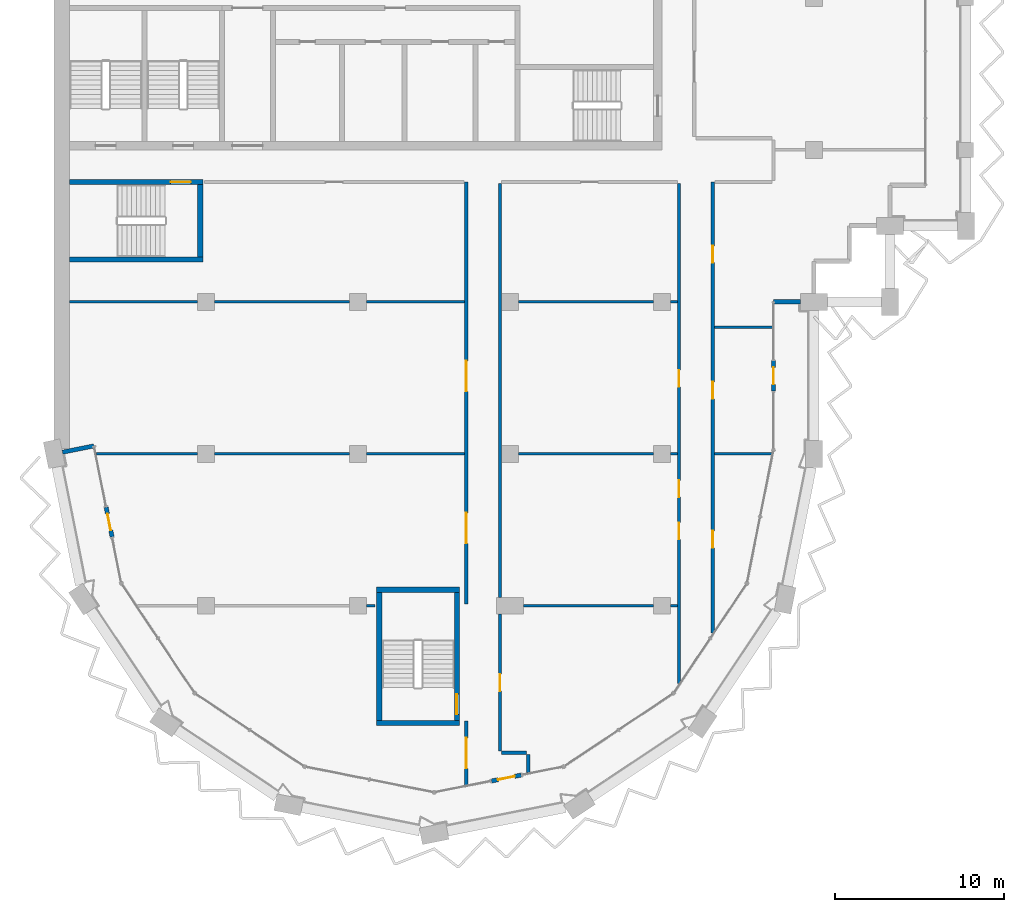
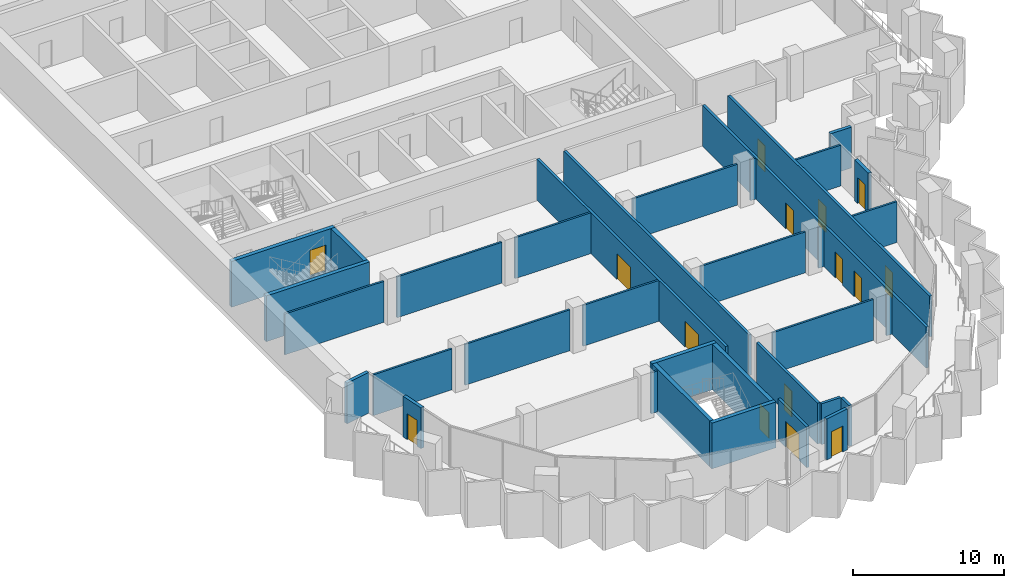
# One storey, part 7 of 16: 35 walls, 15 doors, 15 openings.
"""IFC4 building model written with IfcOpenShell, lengths in metres."""

from ifc_helpers import new_model, si_unit, direction, frame, frame_2d, origin, place, context, subcontext, project, spatial, rectangle, extrude, material, layer, layer_set, type_object, element, fill, save


model = new_model("IFC4")

# Units and contexts
model_context = context("Model", 3, precision=1e-05, world=origin(), true_north=direction((0.0, 1.0)))
body_context = subcontext(model_context, "Body", "Model", "MODEL_VIEW")
ifc_project = project(units=[si_unit("LENGTHUNIT", "METRE"), si_unit("AREAUNIT", "SQUARE_METRE"), si_unit("VOLUMEUNIT", "CUBIC_METRE"), si_unit("PLANEANGLEUNIT", "RADIAN"), si_unit("MASSUNIT", "GRAM", prefix="KILO")], contexts=[model_context])

# Site, building, storey
site_placement = place(None, origin())
site = spatial("IfcSite", under=ifc_project, at=site_placement, CompositionType="ELEMENT")
building_placement = place(site_placement, origin())
building = spatial("IfcBuilding", under=site, at=building_placement, Name="Hunhe Ridgeline Campus", CompositionType="ELEMENT")
storey_placement = place(building_placement, frame((0.0, 0.0, 239.199951171875)))
storey = spatial("IfcBuildingStorey", under=building, at=storey_placement, Name="L61", CompositionType="ELEMENT", Elevation=239.199951171875)

# Walls
ifc_material_1 = material(Name="Concrete C30", Category="concrete")
ifc_layer_1 = layer(ifc_material_1, 0.25)
ifc_layer_set_1 = layer_set([ifc_layer_1], Name="Corner return wall 250 Concrete C30")
wall_type_1 = type_object("IfcWallType", Name="Corner return wall 250 Concrete C30", PredefinedType="SOLIDWALL", material=ifc_layer_set_1)
wall_1_placement = place(storey_placement, frame((0.490234375, 45.098388671875, 0.0), z_axis=(0.0, 0.0, 1.0), x_axis=(0.980836699013, 0.194831644939, 0.0)))
element("IfcWall", 1, at=wall_1_placement, inside=storey, type_object=wall_type_1, Name="Corner return wall 1", PredefinedType="SOLIDWALL", context=body_context, shape_type="SweptSolid", body=[
    extrude(rectangle(XDim=1.90087890625, YDim=0.25, at=frame_2d((0.950439453125, 0.0))), origin(), (0.0, 0.0, 1.0), 3.300048828125),
])
wall_2_placement = place(storey_placement, frame((42.59912109375, 54.00048828125, 0.0), z_axis=(0.0, 0.0, 1.0), x_axis=(0.999999988371, 0.000152508767, 0.0)))
element("IfcWall", 2, at=wall_2_placement, inside=storey, type_object=wall_type_1, Name="Corner return wall 2", PredefinedType="SOLIDWALL", context=body_context, shape_type="SweptSolid", body=[
    extrude(rectangle(XDim=1.600830078125, YDim=0.25, at=frame_2d((0.80029296875, 0.0))), origin(), (0.0, 0.0, 1.0), 3.300048828125),
])
ifc_material_2 = material(Name="Gypsum board partition")
ifc_layer_2 = layer(ifc_material_2, 0.199951171875)
ifc_layer_set_2 = layer_set([ifc_layer_2], Name="Corridor partition 200 gypsum board on steel studs")
wall_type_2 = type_object("IfcWallType", Name="Corridor partition 200 gypsum board on steel studs", PredefinedType="PARTITIONING", material=ifc_layer_set_2)
wall_3_placement = place(storey_placement, frame((26.5, 27.299072265625, 0.0), z_axis=(0.0, 0.0, 1.0), x_axis=(1.0, 0.0, 0.0)))
element("IfcWall", 3, at=wall_3_placement, inside=storey, type_object=wall_type_2, Name="F-L61-wall-001", PredefinedType="PARTITIONING", context=body_context, shape_type="SweptSolid", body=[
    extrude(rectangle(XDim=1.47802734375, YDim=0.199951171875, at=frame_2d((0.739013671875, 0.0))), origin(), (0.0, 0.0, 1.0), 3.300048828125),
])

# Wall, opening, door
wall_4_placement = place(storey_placement, frame((24.39990234375, 25.381103515625, 0.0), z_axis=(0.0, 0.0, 1.0), x_axis=(0.0, 1.0, 0.0)))
wall_4 = element("IfcWall", 4, at=wall_4_placement, inside=storey, type_object=wall_type_2, Name="F-L61-wall-032", PredefinedType="PARTITIONING", context=body_context, shape_type="SweptSolid", body=[
    extrude(rectangle(XDim=3.7939453125, YDim=0.199951171875, at=frame_2d((1.89697265625, 0.0))), origin(), (0.0, 0.0, 1.0), 3.300048828125),
])
opening_1_placement = place(wall_4_placement, frame((0.9970703125, 0.0, 0.0)))
opening_1 = element("IfcOpeningElement", 5, at=opening_1_placement, cuts=wall_4, Name="Opening RD2-001", PredefinedType="OPENING", context=body_context, shape_type="SweptSolid", body=[
    extrude(rectangle(XDim=1.800048828125, YDim=2.10009765625, at=frame_2d((0.89990234375, 1.050048828125))), frame((0.0, 0.10009765625, 0.0), z_axis=(0.0, -1.0, 0.0), x_axis=(1.0, 0.0, 0.0)), (0.0, 0.0, 1.0), 0.199951171875),
])
ifc_material_3 = material(Name="Timber door leaf", Category="wood")
door_type_1 = type_object("IfcDoorType", Name="Double fire door 1800x2100 timber FD60", OperationType="DOUBLE_DOOR_SINGLE_SWING", PredefinedType="DOOR", material=ifc_material_3)
door_1_placement = place(opening_1_placement, origin())
door_1 = element("IfcDoor", 6, at=door_1_placement, inside=storey, type_object=door_type_1, Name="F-L61-door-001", OperationType="DOUBLE_DOOR_SINGLE_SWING", OverallHeight=2.10009765625, OverallWidth=1.800048828125, PredefinedType="DOOR", context=body_context, shape_type="SweptSolid", body=[
    extrude(rectangle(XDim=1.800048828125, YDim=2.10009765625, at=frame_2d((0.89990234375, 1.050048828125))), frame((0.0, 0.02490234375, 0.0), z_axis=(0.0, -1.0, 0.0), x_axis=(1.0, 0.0, 0.0)), (0.0, 0.0, 1.0), 0.050048828125),
])
fill(opening_1, door_1)

# Wall, openings, doors
wall_5_placement = place(storey_placement, frame((24.39990234375, 36.10009765625, 0.0), z_axis=(0.0, 0.0, 1.0), x_axis=(0.0, 1.0, 0.0)))
wall_5 = element("IfcWall", 7, at=wall_5_placement, inside=storey, type_object=wall_type_2, Name="F-L61-wall-033", PredefinedType="PARTITIONING", context=body_context, shape_type="SweptSolid", body=[
    extrude(rectangle(XDim=25.0, YDim=0.199951171875, at=frame_2d((12.5, 0.0))), origin(), (0.0, 0.0, 1.0), 3.300048828125),
])
opening_2_placement = place(wall_5_placement, frame((3.60009765625, 0.0, 0.0)))
opening_2 = element("IfcOpeningElement", 8, at=opening_2_placement, cuts=wall_5, Name="Opening RD2-005", PredefinedType="OPENING", context=body_context, shape_type="SweptSolid", body=[
    extrude(rectangle(XDim=1.800048828125, YDim=2.10009765625, at=frame_2d((0.89990234375, 1.050048828125))), frame((0.0, 0.10009765625, 0.0), z_axis=(0.0, -1.0, 0.0), x_axis=(1.0, 0.0, 0.0)), (0.0, 0.0, 1.0), 0.199951171875),
])
opening_3_placement = place(wall_5_placement, frame((12.60009765625, 0.0, 0.0)))
opening_3 = element("IfcOpeningElement", 9, at=opening_3_placement, cuts=wall_5, Name="Opening RD2-009", PredefinedType="OPENING", context=body_context, shape_type="SweptSolid", body=[
    extrude(rectangle(XDim=1.800048828125, YDim=2.10009765625, at=frame_2d((0.89990234375, 1.050048828125))), frame((0.0, 0.10009765625, 0.0), z_axis=(0.0, -1.0, 0.0), x_axis=(1.0, 0.0, 0.0)), (0.0, 0.0, 1.0), 0.199951171875),
])
door_2_placement = place(opening_2_placement, origin())
door_2 = element("IfcDoor", 10, at=door_2_placement, inside=storey, type_object=door_type_1, Name="F-L61-door-005", OperationType="DOUBLE_DOOR_SINGLE_SWING", OverallHeight=2.10009765625, OverallWidth=1.800048828125, PredefinedType="DOOR", context=body_context, shape_type="SweptSolid", body=[
    extrude(rectangle(XDim=1.800048828125, YDim=2.10009765625, at=frame_2d((0.89990234375, 1.050048828125))), frame((0.0, 0.02490234375, 0.0), z_axis=(0.0, -1.0, 0.0), x_axis=(1.0, 0.0, 0.0)), (0.0, 0.0, 1.0), 0.050048828125),
])
fill(opening_2, door_2)
door_3_placement = place(opening_3_placement, origin())
door_3 = element("IfcDoor", 11, at=door_3_placement, inside=storey, type_object=door_type_1, Name="F-L61-door-009", OperationType="DOUBLE_DOOR_SINGLE_SWING", OverallHeight=2.10009765625, OverallWidth=1.800048828125, PredefinedType="DOOR", context=body_context, shape_type="SweptSolid", body=[
    extrude(rectangle(XDim=1.800048828125, YDim=2.10009765625, at=frame_2d((0.89990234375, 1.050048828125))), frame((0.0, 0.02490234375, 0.0), z_axis=(0.0, -1.0, 0.0), x_axis=(1.0, 0.0, 0.0)), (0.0, 0.0, 1.0), 0.050048828125),
])
fill(opening_3, door_3)

# Wall, opening, door
wall_6_placement = place(storey_placement, frame((26.39990234375, 35.5, 0.0), z_axis=(0.0, 0.0, 1.0), x_axis=(0.0, -1.0, 0.0)))
wall_6 = element("IfcWall", 12, at=wall_6_placement, inside=storey, type_object=wall_type_2, Name="F-L61-wall-034", PredefinedType="PARTITIONING", context=body_context, shape_type="SweptSolid", body=[
    extrude(rectangle(XDim=8.10107421875, YDim=0.199951171875, at=frame_2d((4.050537109375, 0.0))), origin(), (0.0, 0.0, 1.0), 3.300048828125),
])
opening_4_placement = place(wall_6_placement, frame((3.550537109375, 0.0, 0.0)))
opening_4 = element("IfcOpeningElement", 13, at=opening_4_placement, cuts=wall_6, Name="Opening RD1-002", PredefinedType="OPENING", context=body_context, shape_type="SweptSolid", body=[
    extrude(rectangle(XDim=1.0, YDim=2.10009765625, at=frame_2d((0.5, 1.050048828125))), frame((0.0, 0.10009765625, 0.0), z_axis=(0.0, -1.0, 0.0), x_axis=(1.0, 0.0, 0.0)), (0.0, 0.0, 1.0), 0.199951171875),
])
door_type_2 = type_object("IfcDoorType", Name="Single fire door 1000x2100 timber FD60", OperationType="NOTDEFINED", PredefinedType="DOOR", material=ifc_material_3)
door_4_placement = place(opening_4_placement, origin())
door_4 = element("IfcDoor", 14, at=door_4_placement, inside=storey, type_object=door_type_2, Name="F-L61-door-002", OperationType="SINGLE_SWING_LEFT", OverallHeight=2.10009765625, OverallWidth=1.0, PredefinedType="DOOR", context=body_context, shape_type="SweptSolid", body=[
    extrude(rectangle(XDim=1.0, YDim=2.10009765625, at=frame_2d((0.5, 1.050048828125))), frame((0.0, 0.02490234375, 0.0), z_axis=(0.0, -1.0, 0.0), x_axis=(1.0, 0.0, 0.0)), (0.0, 0.0, 1.0), 0.050048828125),
])
fill(opening_4, door_4)

# Walls
wall_7_placement = place(storey_placement, frame((26.39990234375, 61.0, 0.0), z_axis=(0.0, 0.0, 1.0), x_axis=(0.0, -1.0, 0.0)))
element("IfcWall", 15, at=wall_7_placement, inside=storey, type_object=wall_type_2, Name="F-L61-wall-035", PredefinedType="PARTITIONING", context=body_context, shape_type="SweptSolid", body=[
    extrude(rectangle(XDim=24.5, YDim=0.199951171875, at=frame_2d((12.25, 0.0))), origin(), (0.0, 0.0, 1.0), 3.300048828125),
])
wall_8_placement = place(storey_placement, frame((28.077880859375, 27.198974609375, 0.0), z_axis=(0.0, 0.0, 1.0), x_axis=(0.0, -1.0, 0.0)))
element("IfcWall", 16, at=wall_8_placement, inside=storey, type_object=wall_type_2, Name="F-L61-wall-036", PredefinedType="PARTITIONING", context=body_context, shape_type="SweptSolid", body=[
    extrude(rectangle(XDim=1.08642578125, YDim=0.199951171875, at=frame_2d((0.543212890625, 0.0))), origin(), (0.0, 0.0, 1.0), 3.300048828125),
])

# Wall, openings, doors
wall_9_placement = place(storey_placement, frame((37.0, 31.39892578125, 0.0), z_axis=(0.0, 0.0, 1.0), x_axis=(0.0, 1.0, 0.0)))
wall_9 = element("IfcWall", 17, at=wall_9_placement, inside=storey, type_object=wall_type_2, Name="F-L61-wall-037", PredefinedType="PARTITIONING", context=body_context, shape_type="SweptSolid", body=[
    extrude(rectangle(XDim=29.60107421875, YDim=0.199951171875, at=frame_2d((14.800537109375, 0.0))), origin(), (0.0, 0.0, 1.0), 3.300048828125),
])
opening_5_placement = place(wall_9_placement, frame((8.53076171875, 0.0, 0.0)))
opening_5 = element("IfcOpeningElement", 18, at=opening_5_placement, cuts=wall_9, Name="Opening RD1-004", PredefinedType="OPENING", context=body_context, shape_type="SweptSolid", body=[
    extrude(rectangle(XDim=1.0, YDim=2.10009765625, at=frame_2d((0.5, 1.050048828125))), frame((0.0, 0.10009765625, 0.0), z_axis=(0.0, -1.0, 0.0), x_axis=(1.0, 0.0, 0.0)), (0.0, 0.0, 1.0), 0.199951171875),
])
opening_6_placement = place(wall_9_placement, frame((11.03076171875, 0.0, 0.0)))
opening_6 = element("IfcOpeningElement", 19, at=opening_6_placement, cuts=wall_9, Name="Opening RD1-006", PredefinedType="OPENING", context=body_context, shape_type="SweptSolid", body=[
    extrude(rectangle(XDim=1.0, YDim=2.10009765625, at=frame_2d((0.5, 1.050048828125))), frame((0.0, 0.10009765625, 0.0), z_axis=(0.0, -1.0, 0.0), x_axis=(1.0, 0.0, 0.0)), (0.0, 0.0, 1.0), 0.199951171875),
])
opening_7_placement = place(wall_9_placement, frame((17.561767578125, 0.0, 0.0)))
opening_7 = element("IfcOpeningElement", 20, at=opening_7_placement, cuts=wall_9, Name="Opening RD1-008", PredefinedType="OPENING", context=body_context, shape_type="SweptSolid", body=[
    extrude(rectangle(XDim=1.0, YDim=2.10009765625, at=frame_2d((0.5, 1.050048828125))), frame((0.0, 0.10009765625, 0.0), z_axis=(0.0, -1.0, 0.0), x_axis=(1.0, 0.0, 0.0)), (0.0, 0.0, 1.0), 0.199951171875),
])
door_5_placement = place(opening_5_placement, frame((1.0, 0.0, 0.0), z_axis=(0.0, 0.0, 1.0), x_axis=(-1.0, 0.0, 0.0)))
door_5 = element("IfcDoor", 21, at=door_5_placement, inside=storey, type_object=door_type_2, Name="F-L61-door-004", OperationType="SINGLE_SWING_LEFT", OverallHeight=2.10009765625, OverallWidth=1.0, PredefinedType="DOOR", context=body_context, shape_type="SweptSolid", body=[
    extrude(rectangle(XDim=1.0, YDim=2.10009765625, at=frame_2d((0.5, 1.050048828125))), frame((0.0, 0.02490234375, 0.0), z_axis=(0.0, -1.0, 0.0), x_axis=(1.0, 0.0, 0.0)), (0.0, 0.0, 1.0), 0.050048828125),
])
fill(opening_5, door_5)
door_6_placement = place(opening_6_placement, frame((1.0, 0.0, 0.0), z_axis=(0.0, 0.0, 1.0), x_axis=(-1.0, 0.0, 0.0)))
door_6 = element("IfcDoor", 22, at=door_6_placement, inside=storey, type_object=door_type_2, Name="F-L61-door-006", OperationType="SINGLE_SWING_LEFT", OverallHeight=2.10009765625, OverallWidth=1.0, PredefinedType="DOOR", context=body_context, shape_type="SweptSolid", body=[
    extrude(rectangle(XDim=1.0, YDim=2.10009765625, at=frame_2d((0.5, 1.050048828125))), frame((0.0, 0.02490234375, 0.0), z_axis=(0.0, -1.0, 0.0), x_axis=(1.0, 0.0, 0.0)), (0.0, 0.0, 1.0), 0.050048828125),
])
fill(opening_6, door_6)
door_7_placement = place(opening_7_placement, origin())
door_7 = element("IfcDoor", 23, at=door_7_placement, inside=storey, type_object=door_type_2, Name="F-L61-door-008", OperationType="SINGLE_SWING_RIGHT", OverallHeight=2.10009765625, OverallWidth=1.0, PredefinedType="DOOR", context=body_context, shape_type="SweptSolid", body=[
    extrude(rectangle(XDim=1.0, YDim=2.10009765625, at=frame_2d((0.5, 1.050048828125))), frame((0.0, 0.02490234375, 0.0), z_axis=(0.0, -1.0, 0.0), x_axis=(1.0, 0.0, 0.0)), (0.0, 0.0, 1.0), 0.050048828125),
])
fill(opening_7, door_7)

wall_10_placement = place(storey_placement, frame((39.0, 61.10009765625, 0.0), z_axis=(0.0, 0.0, 1.0), x_axis=(0.0, -1.0, 0.0)))
wall_10 = element("IfcWall", 24, at=wall_10_placement, inside=storey, type_object=wall_type_2, Name="F-L61-wall-040", PredefinedType="PARTITIONING", context=body_context, shape_type="SweptSolid", body=[
    extrude(rectangle(XDim=26.7080078125, YDim=0.199951171875, at=frame_2d((13.35400390625, 0.0))), origin(), (0.0, 0.0, 1.0), 3.300048828125),
])
opening_8_placement = place(wall_10_placement, frame((20.664794921875, 0.0, 0.0)))
opening_8 = element("IfcOpeningElement", 25, at=opening_8_placement, cuts=wall_10, Name="Opening RD1-003", PredefinedType="OPENING", context=body_context, shape_type="SweptSolid", body=[
    extrude(rectangle(XDim=1.0, YDim=2.10009765625, at=frame_2d((0.5, 1.050048828125))), frame((0.0, 0.10009765625, 0.0), z_axis=(0.0, -1.0, 0.0), x_axis=(1.0, 0.0, 0.0)), (0.0, 0.0, 1.0), 0.199951171875),
])
opening_9_placement = place(wall_10_placement, frame((11.84619140625, 0.0, 0.0)))
opening_9 = element("IfcOpeningElement", 26, at=opening_9_placement, cuts=wall_10, Name="Opening RD1-007", PredefinedType="OPENING", context=body_context, shape_type="SweptSolid", body=[
    extrude(rectangle(XDim=1.0, YDim=2.10009765625, at=frame_2d((0.5, 1.050048828125))), frame((0.0, 0.10009765625, 0.0), z_axis=(0.0, -1.0, 0.0), x_axis=(1.0, 0.0, 0.0)), (0.0, 0.0, 1.0), 0.199951171875),
])
opening_10_placement = place(wall_10_placement, frame((3.783203125, 0.0, 0.0)))
opening_10 = element("IfcOpeningElement", 27, at=opening_10_placement, cuts=wall_10, Name="Opening RD1-010", PredefinedType="OPENING", context=body_context, shape_type="SweptSolid", body=[
    extrude(rectangle(XDim=1.0, YDim=2.10009765625, at=frame_2d((0.5, 1.050048828125))), frame((0.0, 0.10009765625, 0.0), z_axis=(0.0, -1.0, 0.0), x_axis=(1.0, 0.0, 0.0)), (0.0, 0.0, 1.0), 0.199951171875),
])
door_8_placement = place(opening_8_placement, origin())
door_8 = element("IfcDoor", 28, at=door_8_placement, inside=storey, type_object=door_type_2, Name="F-L61-door-003", OperationType="SINGLE_SWING_LEFT", OverallHeight=2.10009765625, OverallWidth=1.0, PredefinedType="DOOR", context=body_context, shape_type="SweptSolid", body=[
    extrude(rectangle(XDim=1.0, YDim=2.10009765625, at=frame_2d((0.5, 1.050048828125))), frame((0.0, 0.02490234375, 0.0), z_axis=(0.0, -1.0, 0.0), x_axis=(1.0, 0.0, 0.0)), (0.0, 0.0, 1.0), 0.050048828125),
])
fill(opening_8, door_8)
door_9_placement = place(opening_9_placement, origin())
door_9 = element("IfcDoor", 29, at=door_9_placement, inside=storey, type_object=door_type_2, Name="F-L61-door-007", OperationType="SINGLE_SWING_LEFT", OverallHeight=2.10009765625, OverallWidth=1.0, PredefinedType="DOOR", context=body_context, shape_type="SweptSolid", body=[
    extrude(rectangle(XDim=1.0, YDim=2.10009765625, at=frame_2d((0.5, 1.050048828125))), frame((0.0, 0.02490234375, 0.0), z_axis=(0.0, -1.0, 0.0), x_axis=(1.0, 0.0, 0.0)), (0.0, 0.0, 1.0), 0.050048828125),
])
fill(opening_9, door_9)
door_10_placement = place(opening_10_placement, origin())
door_10 = element("IfcDoor", 30, at=door_10_placement, inside=storey, type_object=door_type_2, Name="F-L61-door-010", OperationType="SINGLE_SWING_RIGHT", OverallHeight=2.10009765625, OverallWidth=1.0, PredefinedType="DOOR", context=body_context, shape_type="SweptSolid", body=[
    extrude(rectangle(XDim=1.0, YDim=2.10009765625, at=frame_2d((0.5, 1.050048828125))), frame((0.0, 0.02490234375, 0.0), z_axis=(0.0, -1.0, 0.0), x_axis=(1.0, 0.0, 0.0)), (0.0, 0.0, 1.0), 0.050048828125),
])
fill(opening_10, door_10)

# Wall, opening, door
ifc_layer_3 = layer(ifc_material_1, 0.25)
ifc_layer_set_3 = layer_set([ifc_layer_3], Name="Loggia door pier wall 250 Concrete C30")
wall_type_3 = type_object("IfcWallType", Name="Loggia door pier wall 250 Concrete C30", PredefinedType="SOLIDWALL", material=ifc_layer_set_3)
wall_11_placement = place(storey_placement, frame((3.076904296875, 41.8388671875, 0.0), z_axis=(0.0, 0.0, 1.0), x_axis=(0.195046569833, -0.980793982239, 0.0)))
wall_11 = element("IfcWall", 31, at=wall_11_placement, inside=storey, type_object=wall_type_3, Name="Loggia door pier 1", PredefinedType="SOLIDWALL", context=body_context, shape_type="SweptSolid", body=[
    extrude(rectangle(XDim=1.800048828125, YDim=0.25, at=frame_2d((0.89990234375, 0.0))), origin(), (0.0, 0.0, 1.0), 3.300048828125),
])
opening_11_placement = place(wall_11_placement, frame((0.39990234375, 0.0, 0.0)))
opening_11 = element("IfcOpeningElement", 32, at=opening_11_placement, cuts=wall_11, Name="Opening BD501", PredefinedType="OPENING", context=body_context, shape_type="SweptSolid", body=[
    extrude(rectangle(XDim=1.0, YDim=2.10009765625, at=frame_2d((0.5, 1.050048828125))), frame((0.0, 0.125, 0.0), z_axis=(0.0, -1.0, 0.0), x_axis=(1.0, 0.0, 0.0)), (0.0, 0.0, 1.0), 0.25),
])
ifc_material_4 = material(Name="Aluminium 6063", Category="aluminium")
door_type_3 = type_object("IfcDoorType", Name="Loggia glazed door 1000x2100", OperationType="NOTDEFINED", PredefinedType="DOOR", material=ifc_material_4)
door_11_placement = place(opening_11_placement, frame((1.0, 0.0, 0.0), z_axis=(0.0, 0.0, 1.0), x_axis=(-1.0, 0.0, 0.0)))
door_11 = element("IfcDoor", 33, at=door_11_placement, inside=storey, type_object=door_type_3, Name="Loggia door BD501", OperationType="SINGLE_SWING_RIGHT", OverallHeight=2.10009765625, OverallWidth=1.0, PredefinedType="DOOR", context=body_context, shape_type="SweptSolid", body=[
    extrude(rectangle(XDim=1.0, YDim=2.10009765625, at=frame_2d((0.5, 1.050048828125))), frame((0.0, 0.02490234375, 0.0), z_axis=(0.0, -1.0, 0.0), x_axis=(1.0, 0.0, 0.0)), (0.0, 0.0, 1.0), 0.050048828125),
])
fill(opening_11, door_11)

wall_12_placement = place(storey_placement, frame((25.8955078125, 25.62353515625, 0.0), z_axis=(0.0, 0.0, 1.0), x_axis=(0.980793982239, 0.195046569833, 0.0)))
wall_12 = element("IfcWall", 34, at=wall_12_placement, inside=storey, type_object=wall_type_3, Name="Loggia door pier 2", PredefinedType="SOLIDWALL", context=body_context, shape_type="SweptSolid", body=[
    extrude(rectangle(XDim=1.800048828125, YDim=0.25, at=frame_2d((0.89990234375, 0.0))), origin(), (0.0, 0.0, 1.0), 3.300048828125),
])
opening_12_placement = place(wall_12_placement, frame((0.39990234375, 0.0, 0.0)))
opening_12 = element("IfcOpeningElement", 35, at=opening_12_placement, cuts=wall_12, Name="Opening BD503", PredefinedType="OPENING", context=body_context, shape_type="SweptSolid", body=[
    extrude(rectangle(XDim=1.0, YDim=2.10009765625, at=frame_2d((0.5, 1.050048828125))), frame((0.0, 0.125, 0.0), z_axis=(0.0, -1.0, 0.0), x_axis=(1.0, 0.0, 0.0)), (0.0, 0.0, 1.0), 0.25),
])
door_12_placement = place(opening_12_placement, frame((1.0, 0.0, 0.0), z_axis=(0.0, 0.0, 1.0), x_axis=(-1.0, 0.0, 0.0)))
door_12 = element("IfcDoor", 36, at=door_12_placement, inside=storey, type_object=door_type_3, Name="Loggia door BD503", OperationType="SINGLE_SWING_RIGHT", OverallHeight=2.10009765625, OverallWidth=1.0, PredefinedType="DOOR", context=body_context, shape_type="SweptSolid", body=[
    extrude(rectangle(XDim=1.0, YDim=2.10009765625, at=frame_2d((0.5, 1.050048828125))), frame((0.0, 0.02490234375, 0.0), z_axis=(0.0, -1.0, 0.0), x_axis=(1.0, 0.0, 0.0)), (0.0, 0.0, 1.0), 0.050048828125),
])
fill(opening_12, door_12)

wall_13_placement = place(storey_placement, frame((42.59912109375, 48.718505859375, 0.0), z_axis=(0.0, 0.0, 1.0), x_axis=(0.0, 1.0, 0.0)))
wall_13 = element("IfcWall", 37, at=wall_13_placement, inside=storey, type_object=wall_type_3, Name="Loggia door pier 3", PredefinedType="SOLIDWALL", context=body_context, shape_type="SweptSolid", body=[
    extrude(rectangle(XDim=1.800048828125, YDim=0.25, at=frame_2d((0.89990234375, 0.0))), origin(), (0.0, 0.0, 1.0), 3.300048828125),
])
opening_13_placement = place(wall_13_placement, frame((0.39990234375, 0.0, 0.0)))
opening_13 = element("IfcOpeningElement", 38, at=opening_13_placement, cuts=wall_13, Name="Opening BD505", PredefinedType="OPENING", context=body_context, shape_type="SweptSolid", body=[
    extrude(rectangle(XDim=1.0, YDim=2.10009765625, at=frame_2d((0.5, 1.050048828125))), frame((0.0, 0.125, 0.0), z_axis=(0.0, -1.0, 0.0), x_axis=(1.0, 0.0, 0.0)), (0.0, 0.0, 1.0), 0.25),
])
door_13_placement = place(opening_13_placement, frame((1.0, 0.0, 0.0), z_axis=(0.0, 0.0, 1.0), x_axis=(-1.0, 0.0, 0.0)))
door_13 = element("IfcDoor", 39, at=door_13_placement, inside=storey, type_object=door_type_3, Name="Loggia door BD505", OperationType="SINGLE_SWING_RIGHT", OverallHeight=2.10009765625, OverallWidth=1.0, PredefinedType="DOOR", context=body_context, shape_type="SweptSolid", body=[
    extrude(rectangle(XDim=1.0, YDim=2.10009765625, at=frame_2d((0.5, 1.050048828125))), frame((0.0, 0.02490234375, 0.0), z_axis=(0.0, -1.0, 0.0), x_axis=(1.0, 0.0, 0.0)), (0.0, 0.0, 1.0), 0.050048828125),
])
fill(opening_13, door_13)

# Walls
ifc_layer_4 = layer(ifc_material_2, 0.14990234375)
ifc_layer_set_4 = layer_set([ifc_layer_4], Name="Room partition 150 gypsum board on steel studs")
wall_type_4 = type_object("IfcWallType", Name="Room partition 150 gypsum board on steel studs", PredefinedType="PARTITIONING", material=ifc_layer_set_4)
wall_14_placement = place(storey_placement, frame((18.5, 36.0, 0.0), z_axis=(0.0, 0.0, 1.0), x_axis=(1.0, 0.0, 0.0)))
element("IfcWall", 40, at=wall_14_placement, inside=storey, type_object=wall_type_4, Name="F-L61-wall-004", PredefinedType="PARTITIONING", context=body_context, shape_type="SweptSolid", body=[
    extrude(rectangle(XDim=0.49609375, YDim=0.14990234375, at=frame_2d((0.248046875, 0.0))), origin(), (0.0, 0.0, 1.0), 3.300048828125),
])
wall_15_placement = place(storey_placement, frame((27.800048828125, 36.0, 0.0), z_axis=(0.0, 0.0, 1.0), x_axis=(1.0, 0.0, 0.0)))
element("IfcWall", 41, at=wall_15_placement, inside=storey, type_object=wall_type_4, Name="F-L61-wall-005", PredefinedType="PARTITIONING", context=body_context, shape_type="SweptSolid", body=[
    extrude(rectangle(XDim=7.699951171875, YDim=0.14990234375, at=frame_2d((3.85009765625, 0.0))), origin(), (0.0, 0.0, 1.0), 3.300048828125),
])
wall_16_placement = place(storey_placement, frame((36.5, 36.0, 0.0), z_axis=(0.0, 0.0, 1.0), x_axis=(1.0, 0.0, 0.0)))
element("IfcWall", 42, at=wall_16_placement, inside=storey, type_object=wall_type_4, Name="F-L61-wall-006", PredefinedType="PARTITIONING", context=body_context, shape_type="SweptSolid", body=[
    extrude(rectangle(XDim=0.39990234375, YDim=0.14990234375, at=frame_2d((0.199951171875, 0.0))), origin(), (0.0, 0.0, 1.0), 3.300048828125),
])
wall_17_placement = place(storey_placement, frame((2.503173828125, 45.0, 0.0), z_axis=(0.0, 0.0, 1.0), x_axis=(1.0, 0.0, 0.0)))
element("IfcWall", 43, at=wall_17_placement, inside=storey, type_object=wall_type_4, Name="F-L61-wall-007", PredefinedType="PARTITIONING", context=body_context, shape_type="SweptSolid", body=[
    extrude(rectangle(XDim=5.996826171875, YDim=0.14990234375, at=frame_2d((2.99853515625, 0.0))), origin(), (0.0, 0.0, 1.0), 3.300048828125),
])
wall_18_placement = place(storey_placement, frame((9.5, 45.0, 0.0), z_axis=(0.0, 0.0, 1.0), x_axis=(1.0, 0.0, 0.0)))
element("IfcWall", 44, at=wall_18_placement, inside=storey, type_object=wall_type_4, Name="F-L61-wall-008", PredefinedType="PARTITIONING", context=body_context, shape_type="SweptSolid", body=[
    extrude(rectangle(XDim=8.0, YDim=0.14990234375, at=frame_2d((4.0, 0.0))), origin(), (0.0, 0.0, 1.0), 3.300048828125),
])
wall_19_placement = place(storey_placement, frame((18.5, 45.0, 0.0), z_axis=(0.0, 0.0, 1.0), x_axis=(1.0, 0.0, 0.0)))
element("IfcWall", 45, at=wall_19_placement, inside=storey, type_object=wall_type_4, Name="F-L61-wall-009", PredefinedType="PARTITIONING", context=body_context, shape_type="SweptSolid", body=[
    extrude(rectangle(XDim=5.800048828125, YDim=0.14990234375, at=frame_2d((2.89990234375, 0.0))), origin(), (0.0, 0.0, 1.0), 3.300048828125),
])
wall_20_placement = place(storey_placement, frame((27.5, 45.0, 0.0), z_axis=(0.0, 0.0, 1.0), x_axis=(1.0, 0.0, 0.0)))
element("IfcWall", 46, at=wall_20_placement, inside=storey, type_object=wall_type_4, Name="F-L61-wall-010", PredefinedType="PARTITIONING", context=body_context, shape_type="SweptSolid", body=[
    extrude(rectangle(XDim=8.0, YDim=0.14990234375, at=frame_2d((4.0, 0.0))), origin(), (0.0, 0.0, 1.0), 3.300048828125),
])
wall_21_placement = place(storey_placement, frame((36.5, 45.0, 0.0), z_axis=(0.0, 0.0, 1.0), x_axis=(1.0, 0.0, 0.0)))
element("IfcWall", 47, at=wall_21_placement, inside=storey, type_object=wall_type_4, Name="F-L61-wall-011", PredefinedType="PARTITIONING", context=body_context, shape_type="SweptSolid", body=[
    extrude(rectangle(XDim=0.39990234375, YDim=0.14990234375, at=frame_2d((0.199951171875, 0.0))), origin(), (0.0, 0.0, 1.0), 3.300048828125),
])
wall_22_placement = place(storey_placement, frame((39.10009765625, 45.0, 0.0), z_axis=(0.0, 0.0, 1.0), x_axis=(1.0, 0.0, 0.0)))
element("IfcWall", 48, at=wall_22_placement, inside=storey, type_object=wall_type_4, Name="F-L61-wall-012", PredefinedType="PARTITIONING", context=body_context, shape_type="SweptSolid", body=[
    extrude(rectangle(XDim=3.396728515625, YDim=0.14990234375, at=frame_2d((1.6982421875, 0.0))), origin(), (0.0, 0.0, 1.0), 3.300048828125),
])
wall_23_placement = place(storey_placement, frame((39.10009765625, 52.5, 0.0), z_axis=(0.0, 0.0, 1.0), x_axis=(1.0, 0.0, 0.0)))
element("IfcWall", 49, at=wall_23_placement, inside=storey, type_object=wall_type_4, Name="F-L61-wall-013", PredefinedType="PARTITIONING", context=body_context, shape_type="SweptSolid", body=[
    extrude(rectangle(XDim=3.445068359375, YDim=0.14990234375, at=frame_2d((1.72265625, 0.0))), origin(), (0.0, 0.0, 1.0), 3.300048828125),
])
wall_24_placement = place(storey_placement, frame((0.919921875, 54.0, 0.0), z_axis=(0.0, 0.0, 1.0), x_axis=(1.0, 0.0, 0.0)))
element("IfcWall", 50, at=wall_24_placement, inside=storey, type_object=wall_type_4, Name="F-L61-wall-014", PredefinedType="PARTITIONING", context=body_context, shape_type="SweptSolid", body=[
    extrude(rectangle(XDim=7.580078125, YDim=0.14990234375, at=frame_2d((3.7900390625, 0.0))), origin(), (0.0, 0.0, 1.0), 3.300048828125),
])
wall_25_placement = place(storey_placement, frame((9.5, 54.0, 0.0), z_axis=(0.0, 0.0, 1.0), x_axis=(1.0, 0.0, 0.0)))
element("IfcWall", 51, at=wall_25_placement, inside=storey, type_object=wall_type_4, Name="F-L61-wall-015", PredefinedType="PARTITIONING", context=body_context, shape_type="SweptSolid", body=[
    extrude(rectangle(XDim=8.0, YDim=0.14990234375, at=frame_2d((4.0, 0.0))), origin(), (0.0, 0.0, 1.0), 3.300048828125),
])
wall_26_placement = place(storey_placement, frame((18.5, 54.0, 0.0), z_axis=(0.0, 0.0, 1.0), x_axis=(1.0, 0.0, 0.0)))
element("IfcWall", 52, at=wall_26_placement, inside=storey, type_object=wall_type_4, Name="F-L61-wall-016", PredefinedType="PARTITIONING", context=body_context, shape_type="SweptSolid", body=[
    extrude(rectangle(XDim=5.800048828125, YDim=0.14990234375, at=frame_2d((2.89990234375, 0.0))), origin(), (0.0, 0.0, 1.0), 3.300048828125),
])
wall_27_placement = place(storey_placement, frame((27.5, 54.0, 0.0), z_axis=(0.0, 0.0, 1.0), x_axis=(1.0, 0.0, 0.0)))
element("IfcWall", 53, at=wall_27_placement, inside=storey, type_object=wall_type_4, Name="F-L61-wall-017", PredefinedType="PARTITIONING", context=body_context, shape_type="SweptSolid", body=[
    extrude(rectangle(XDim=8.0, YDim=0.14990234375, at=frame_2d((4.0, 0.0))), origin(), (0.0, 0.0, 1.0), 3.300048828125),
])
wall_28_placement = place(storey_placement, frame((36.5, 54.0, 0.0), z_axis=(0.0, 0.0, 1.0), x_axis=(1.0, 0.0, 0.0)))
element("IfcWall", 54, at=wall_28_placement, inside=storey, type_object=wall_type_4, Name="F-L61-wall-018", PredefinedType="PARTITIONING", context=body_context, shape_type="SweptSolid", body=[
    extrude(rectangle(XDim=0.39990234375, YDim=0.14990234375, at=frame_2d((0.199951171875, 0.0))), origin(), (0.0, 0.0, 1.0), 3.300048828125),
])
ifc_material_5 = material(Name="Concrete C50", Category="concrete")
ifc_layer_5 = layer(ifc_material_5, 0.300048828125)
ifc_layer_set_5 = layer_set([ifc_layer_5], Name="Stair wall 300 reinforced concrete C50")
wall_type_5 = type_object("IfcWallType", Name="Stair wall 300 reinforced concrete C50", PredefinedType="SOLIDWALL", material=ifc_layer_set_5)
for number, where, z_axis, x_axis, name in (
    (55, (19.10009765625, 29.050048828125, -0.39990234375), (0.0, 0.0, 1.0), (1.0, 0.0, 0.0), "L61 core wall 1"),
    (56, (19.10009765625, 36.949951171875, -0.39990234375), (0.0, 0.0, 1.0), (1.0, 0.0, 0.0), "L61 core wall 2"),
):
    element("IfcWall", number, at=place(storey_placement, frame(where, z_axis=z_axis, x_axis=x_axis)), inside=storey, type_object=wall_type_5, Name=name, PredefinedType="SOLIDWALL", context=body_context, shape_type="SweptSolid", body=[
        extrude(rectangle(XDim=4.89990234375, YDim=0.300048828125, at=frame_2d((2.449951171875, 0.0))), origin(), (0.0, 0.0, 1.0), 3.699951171875),
    ])
wall_29_placement = place(storey_placement, frame((0.89990234375, 56.5, -0.39990234375), z_axis=(0.0, 0.0, 1.0), x_axis=(1.0, 0.0, 0.0)))
element("IfcWall", 57, at=wall_29_placement, inside=storey, type_object=wall_type_5, Name="L61 core wall 3", PredefinedType="SOLIDWALL", context=body_context, shape_type="SweptSolid", body=[
    extrude(rectangle(XDim=7.900146484375, YDim=0.300048828125, at=frame_2d((3.9501953125, 0.0))), origin(), (0.0, 0.0, 1.0), 3.699951171875),
])

# Wall, opening, door
wall_30_placement = place(storey_placement, frame((0.89990234375, 61.10009765625, -0.39990234375), z_axis=(0.0, 0.0, 1.0), x_axis=(1.0, 0.0, 0.0)))
wall_30 = element("IfcWall", 58, at=wall_30_placement, inside=storey, type_object=wall_type_5, Name="L61 core wall 4", PredefinedType="SOLIDWALL", context=body_context, shape_type="SweptSolid", body=[
    extrude(rectangle(XDim=7.900146484375, YDim=0.300048828125, at=frame_2d((3.9501953125, 0.0))), origin(), (0.0, 0.0, 1.0), 3.699951171875),
])
opening_14_placement = place(wall_30_placement, frame((6.0, 0.0, 0.39990234375)))
opening_14 = element("IfcOpeningElement", 59, at=opening_14_placement, cuts=wall_30, Name="Opening CD22", PredefinedType="OPENING", context=body_context, shape_type="SweptSolid", body=[
    extrude(rectangle(XDim=1.199951171875, YDim=2.10009765625, at=frame_2d((0.60009765625, 1.050048828125))), frame((0.0, 0.14990234375, 0.0), z_axis=(0.0, -1.0, 0.0), x_axis=(1.0, 0.0, 0.0)), (0.0, 0.0, 1.0), 0.300048828125),
])
ifc_material_6 = material(Name="Hollow metal fire door leaf")
door_type_4 = type_object("IfcDoorType", Name="Stair door 1200x2100 FD60", OperationType="SINGLE_SWING_LEFT", PredefinedType="DOOR", material=ifc_material_6)
door_14_placement = place(opening_14_placement, origin())
door_14 = element("IfcDoor", 60, at=door_14_placement, inside=storey, type_object=door_type_4, Name="L61 door W2", OperationType="SINGLE_SWING_LEFT", OverallHeight=2.10009765625, OverallWidth=1.199951171875, PredefinedType="DOOR", context=body_context, shape_type="SweptSolid", body=[
    extrude(rectangle(XDim=1.199951171875, YDim=2.10009765625, at=frame_2d((0.60009765625, 1.050048828125))), frame((0.0, 0.02490234375, 0.0), z_axis=(0.0, -1.0, 0.0), x_axis=(1.0, 0.0, 0.0)), (0.0, 0.0, 1.0), 0.050048828125),
])
fill(opening_14, door_14)

# Walls
wall_31_placement = place(storey_placement, frame((8.64990234375, 56.64990234375, -0.39990234375), z_axis=(0.0, 0.0, 1.0), x_axis=(0.0, 1.0, 0.0)))
element("IfcWall", 61, at=wall_31_placement, inside=storey, type_object=wall_type_5, Name="L61 core wall 30", PredefinedType="SOLIDWALL", context=body_context, shape_type="SweptSolid", body=[
    extrude(rectangle(XDim=4.300048828125, YDim=0.300048828125, at=frame_2d((2.14990234375, 0.0))), origin(), (0.0, 0.0, 1.0), 3.699951171875),
])
wall_32_placement = place(storey_placement, frame((19.25, 29.199951171875, -0.39990234375), z_axis=(0.0, 0.0, 1.0), x_axis=(0.0, 1.0, 0.0)))
element("IfcWall", 62, at=wall_32_placement, inside=storey, type_object=wall_type_5, Name="L61 core wall 40", PredefinedType="SOLIDWALL", context=body_context, shape_type="SweptSolid", body=[
    extrude(rectangle(XDim=7.60009765625, YDim=0.300048828125, at=frame_2d((3.800048828125, 0.0))), origin(), (0.0, 0.0, 1.0), 3.699951171875),
])

# Wall, opening, door
wall_33_placement = place(storey_placement, frame((23.85009765625, 29.199951171875, -0.39990234375), z_axis=(0.0, 0.0, 1.0), x_axis=(0.0, 1.0, 0.0)))
wall_33 = element("IfcWall", 63, at=wall_33_placement, inside=storey, type_object=wall_type_5, Name="L61 core wall 45", PredefinedType="SOLIDWALL", context=body_context, shape_type="SweptSolid", body=[
    extrude(rectangle(XDim=7.60009765625, YDim=0.300048828125, at=frame_2d((3.800048828125, 0.0))), origin(), (0.0, 0.0, 1.0), 3.699951171875),
])
opening_15_placement = place(wall_33_placement, frame((0.375, 0.0, 0.39990234375)))
opening_15 = element("IfcOpeningElement", 64, at=opening_15_placement, cuts=wall_33, Name="Opening CD23", PredefinedType="OPENING", context=body_context, shape_type="SweptSolid", body=[
    extrude(rectangle(XDim=1.199951171875, YDim=2.10009765625, at=frame_2d((0.60009765625, 1.050048828125))), frame((0.0, 0.14990234375, 0.0), z_axis=(0.0, -1.0, 0.0), x_axis=(1.0, 0.0, 0.0)), (0.0, 0.0, 1.0), 0.300048828125),
])
door_15_placement = place(opening_15_placement, frame((1.199951171875, 0.0, 0.0), z_axis=(0.0, 0.0, 1.0), x_axis=(-1.0, 0.0, 0.0)))
door_15 = element("IfcDoor", 65, at=door_15_placement, inside=storey, type_object=door_type_4, Name="L61 door W3", OperationType="SINGLE_SWING_LEFT", OverallHeight=2.10009765625, OverallWidth=1.199951171875, PredefinedType="DOOR", context=body_context, shape_type="SweptSolid", body=[
    extrude(rectangle(XDim=1.199951171875, YDim=2.10009765625, at=frame_2d((0.60009765625, 1.050048828125))), frame((0.0, 0.02490234375, 0.0), z_axis=(0.0, -1.0, 0.0), x_axis=(1.0, 0.0, 0.0)), (0.0, 0.0, 1.0), 0.050048828125),
])
fill(opening_15, door_15)

save(model, "model.ifc")
